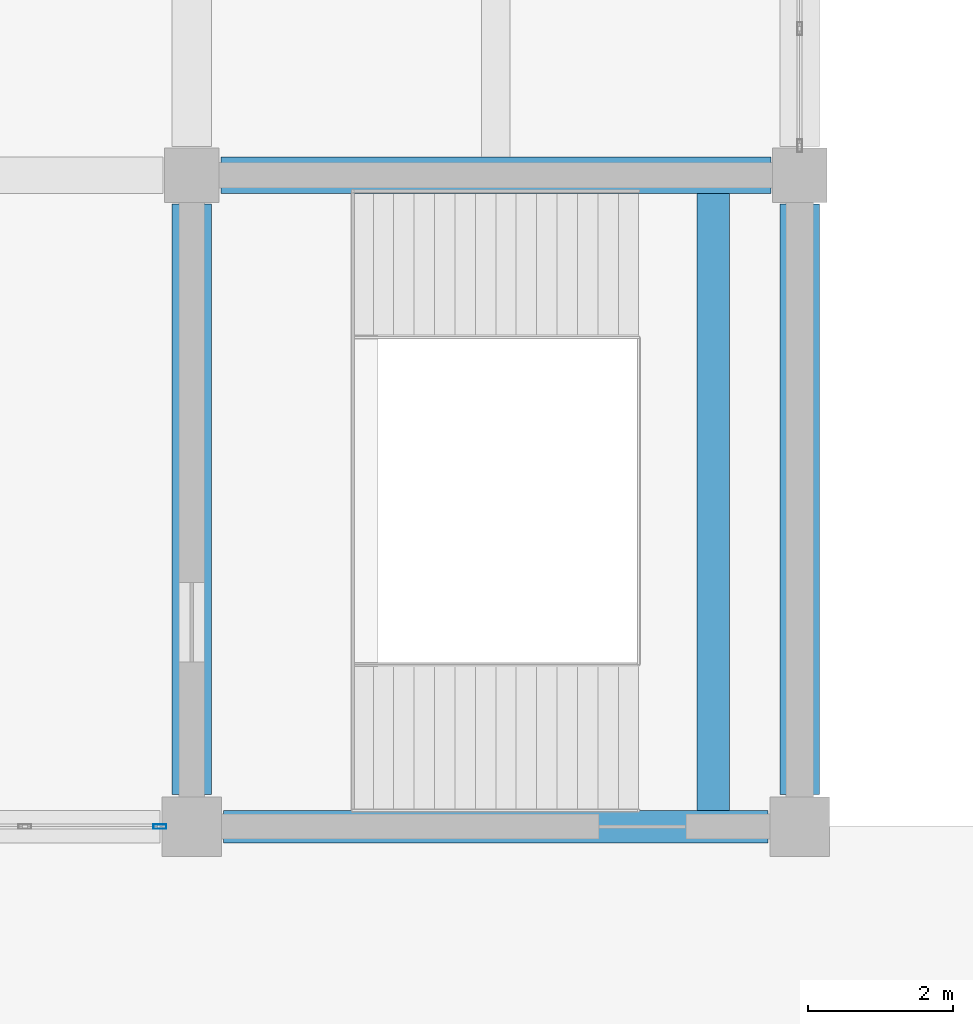
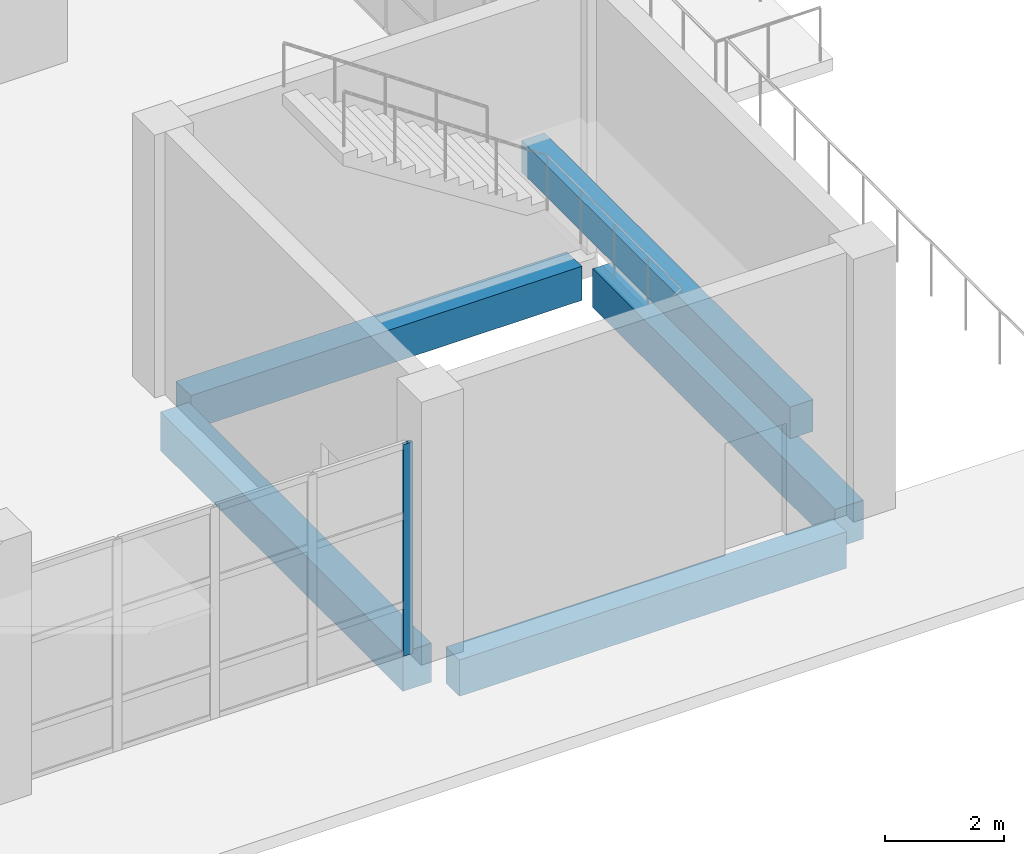
# One storey, part 9 of 78: 5 beams, 1 member, 1 element without a shape of its own.
"""IFC4 building model written with IfcOpenShell, lengths in metres."""

from ifc_helpers import new_model, si_unit, direction, frame, origin, origin_2d, place, context, subcontext, project, spatial, rectangle, hollow_rectangle, extrude, material, material_profile, profile_set, type_object, element, aggregate, save


model = new_model("IFC4")

# Units and contexts
model_context = context("Model", 3, precision=1e-05, world=origin(), true_north=direction((0.0, 1.0)))
body_context = subcontext(model_context, "Body", "Model", "MODEL_VIEW")
ifc_project = project(units=[si_unit("LENGTHUNIT", "METRE"), si_unit("AREAUNIT", "SQUARE_METRE"), si_unit("VOLUMEUNIT", "CUBIC_METRE"), si_unit("PLANEANGLEUNIT", "RADIAN"), si_unit("MASSUNIT", "GRAM", prefix="KILO")], contexts=[model_context])

# Site, building, storey
site_placement = place(None, origin())
site = spatial("IfcSite", under=ifc_project, at=site_placement, CompositionType="ELEMENT")
building_placement = place(site_placement, origin())
building = spatial("IfcBuilding", under=site, at=building_placement, Name="Pellamere Symphony Hall", CompositionType="ELEMENT")
storey_placement = place(building_placement, origin())
storey = spatial("IfcBuildingStorey", under=building, at=storey_placement, Name="L00", CompositionType="ELEMENT", Elevation=0.0)

# Curtain wall, member
ifc_material_1 = material(Name="Thermally Broken Anodised Aluminium 6063-T6 Curtain Wall", Category="aluminium")
curtain_wall_type = type_object("IfcCurtainWallType", Name="Curtain Wall CW-04 (Chamber Music Lobby Curtain Wall)", PredefinedType="NOTDEFINED", material=ifc_material_1)
curtain_wall_placement = place(storey_placement, origin())
curtain_wall = element("IfcCurtainWall", 1, at=curtain_wall_placement, inside=storey, type_object=curtain_wall_type, Name="Chamber Lobby South Curtain Wall (L00 Bay 2)", PredefinedType="NOTDEFINED")
ifc_material_2 = material(Name="Anodised Architectural Aluminium 6063-T6", Category="aluminium")
ifc_material_profile_1 = material_profile(ifc_material_2, hollow_rectangle(XDim=0.06494140625, YDim=0.179931640625, WallThickness=0.00390625, at=origin_2d()), Name="ALU-M65X180X4")
ifc_profile_set_1 = profile_set([ifc_material_profile_1], Name="Anodised Architectural Aluminium 6063-T6")
member_type = type_object("IfcMemberType", Name="Curtain Wall Mullion ML-02 ALU-M65X180X4", PredefinedType="MULLION", material=ifc_profile_set_1)
member_placement = place(storey_placement, frame((33.157470703125, 0.0, 0.0), z_axis=(0.0, 0.0, 1.0), x_axis=(0.0, 1.0, 0.0)))
member = element("IfcMember", 2, at=member_placement, type_object=member_type, Name="CW4-108 crystal mullion 5", PredefinedType="MULLION", context=body_context, shape_type="SweptSolid", body=[
    extrude(hollow_rectangle(XDim=0.06494140625, YDim=0.179931640625, WallThickness=0.00390625, at=origin_2d()), origin(), (0.0, 0.0, 1.0), 4.35009765625),
])
aggregate(curtain_wall, [member])

# Beams
ifc_material_3 = material(Name="Concrete 40 MPa", Category="concrete")
ifc_material_profile_2 = material_profile(ifc_material_3, rectangle(XDim=0.550048828125, YDim=0.800048828125, at=origin_2d()), Name="RC 550x800")
ifc_profile_set_2 = profile_set([ifc_material_profile_2], Name="Concrete 40 MPa")
beam_type_1 = type_object("IfcBeamType", Name="RC CB-05 550x800", PredefinedType="BEAM", material=ifc_profile_set_2)
for number, where, z_axis, x_axis, name in (
    (3, (33.60009765625, 0.43994140625, -0.699951171875), (0.0, 1.0, 0.0), (-1.0, 0.0, 0.0), "Girder CB-05-Y0219 (L00)"),
    (4, (42.0, 0.43994140625, -0.699951171875), (0.0, 1.0, 0.0), (-1.0, 0.0, 0.0), "Girder CB-05-Y0226 (L00)"),
):
    element("IfcBeam", number, at=place(storey_placement, frame(where, z_axis=z_axis, x_axis=x_axis)), inside=storey, type_object=beam_type_1, Name=name, PredefinedType="BEAM", context=body_context, shape_type="SweptSolid", body=[
        extrude(rectangle(XDim=0.550048828125, YDim=0.800048828125, at=origin_2d()), origin(), (0.0, 0.0, 1.0), 8.16015625),
    ])
ifc_material_profile_3 = material_profile(ifc_material_3, rectangle(XDim=0.5, YDim=0.699951171875, at=origin_2d()), Name="RC 500x700")
ifc_profile_set_3 = profile_set([ifc_material_profile_3], Name="Concrete 40 MPa")
beam_type_2 = type_object("IfcBeamType", Name="RC CB-07 500x700", PredefinedType="BEAM", material=ifc_profile_set_3)
beam_1_placement = place(storey_placement, frame((34.0, 9.0, -0.64990234375), z_axis=(1.0, 0.0, 0.0), x_axis=(0.0, 1.0, 0.0)))
element("IfcBeam", 5, at=beam_1_placement, inside=storey, type_object=beam_type_2, Name="Girder CB-07-X0010 (L00)", PredefinedType="BEAM", context=body_context, shape_type="SweptSolid", body=[
    extrude(rectangle(XDim=0.5, YDim=0.699951171875, at=origin_2d()), origin(), (0.0, 0.0, 1.0), 7.60009765625),
])
ifc_material_profile_4 = material_profile(ifc_material_3, rectangle(XDim=0.449951171875, YDim=0.64990234375, at=origin_2d()), Name="RC 450x650")
ifc_profile_set_4 = profile_set([ifc_material_profile_4], Name="Concrete 40 MPa")
beam_type_3 = type_object("IfcBeamType", Name="RC CB-08 450x650", PredefinedType="BEAM", material=ifc_profile_set_4)
beam_2_placement = place(storey_placement, frame((40.8076171875, -0.02001953125, 2.155029296875), z_axis=(0.0, 1.0, 0.0), x_axis=(-1.0, 0.0, 0.0)))
element("IfcBeam", 6, at=beam_2_placement, inside=storey, type_object=beam_type_3, Name="Stair ST09-L00 Half Landing Support Beam (L00)", PredefinedType="BEAM", context=body_context, shape_type="SweptSolid", body=[
    extrude(rectangle(XDim=0.449951171875, YDim=0.64990234375, at=origin_2d()), origin(), (0.0, 0.0, 1.0), 9.0400390625),
])
ifc_material_profile_5 = material_profile(ifc_material_3, rectangle(XDim=0.449951171875, YDim=0.75, at=origin_2d()), Name="RC 450x750")
ifc_profile_set_5 = profile_set([ifc_material_profile_5], Name="Concrete 40 MPa")
beam_type_4 = type_object("IfcBeamType", Name="RC CB-12 450x750", PredefinedType="SPANDREL", material=ifc_profile_set_5)
beam_3_placement = place(storey_placement, frame((34.0400390625, 0.0, -0.675048828125), z_axis=(1.0, 0.0, 0.0), x_axis=(0.0, 1.0, 0.0)))
element("IfcBeam", 7, at=beam_3_placement, inside=storey, type_object=beam_type_4, Name="Girder CB-12-X0005 (L00)", PredefinedType="SPANDREL", context=body_context, shape_type="SweptSolid", body=[
    extrude(rectangle(XDim=0.449951171875, YDim=0.75, at=origin_2d()), origin(), (0.0, 0.0, 1.0), 7.52001953125),
])

save(model, "model.ifc")
